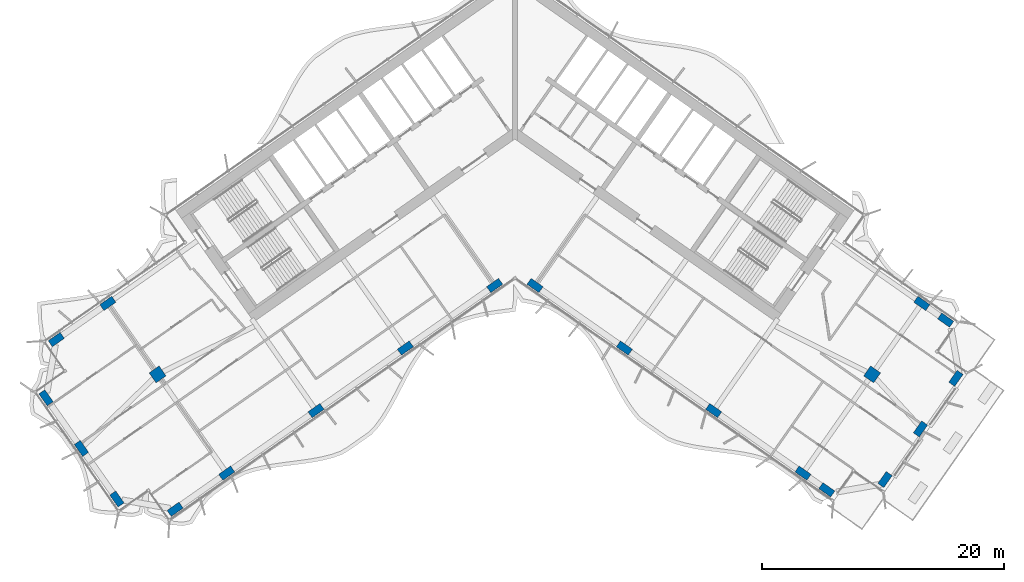
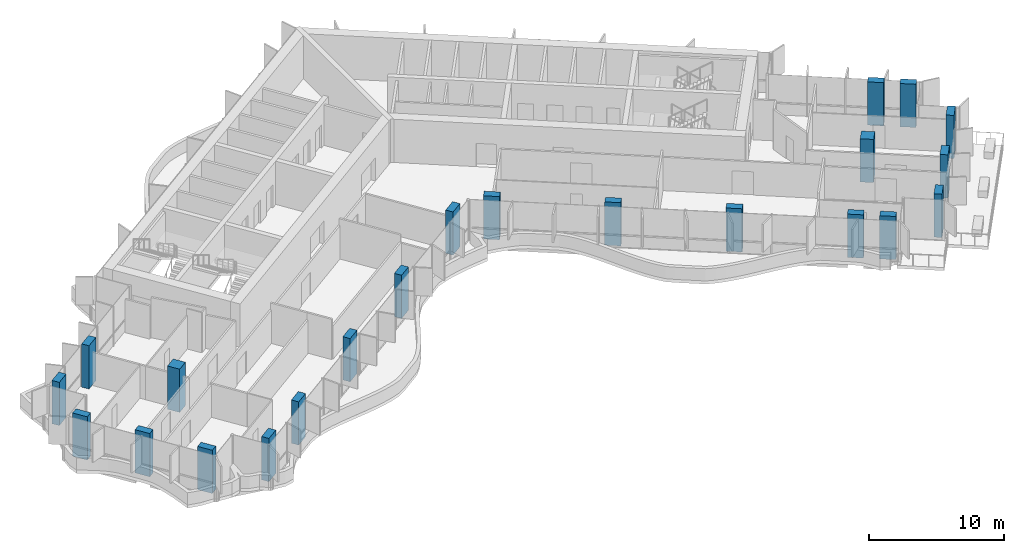
# One storey, part 1 of 22: 22 columns.
"""IFC4 building model written with IfcOpenShell, lengths in metres."""

from ifc_helpers import new_model, si_unit, direction, frame, origin, origin_2d, place, context, subcontext, project, spatial, rectangle, extrude, material, material_profile, profile_set, type_object, element, save


model = new_model("IFC4")

# Units and contexts
model_context = context("Model", 3, precision=1e-05, world=origin(), true_north=direction((0.0, 1.0)))
body_context = subcontext(model_context, "Body", "Model", "MODEL_VIEW")
ifc_project = project(units=[si_unit("LENGTHUNIT", "METRE"), si_unit("AREAUNIT", "SQUARE_METRE"), si_unit("VOLUMEUNIT", "CUBIC_METRE"), si_unit("PLANEANGLEUNIT", "RADIAN"), si_unit("MASSUNIT", "GRAM", prefix="KILO")], contexts=[model_context])

# Site, building, storey
site_placement = place(None, origin())
site = spatial("IfcSite", under=ifc_project, at=site_placement, CompositionType="ELEMENT")
building_placement = place(site_placement, origin())
building = spatial("IfcBuilding", under=site, at=building_placement, Name="Tel Ilan Convention Tower", CompositionType="ELEMENT")
storey_placement = place(building_placement, frame((0.0, 0.0, 143.699951171875)))
storey = spatial("IfcBuildingStorey", under=building, at=storey_placement, Name="L32", CompositionType="ELEMENT", Elevation=143.699951171875)

# Columns
ifc_material_1 = material(Name="Concrete C50/60", Category="concrete")
ifc_material_profile_1 = material_profile(ifc_material_1, rectangle(XDim=1.0, YDim=1.0, at=origin_2d()), Name="RC 1000x1000")
ifc_profile_set_1 = profile_set([ifc_material_profile_1], Name="Concrete C50/60")
column_type_1 = type_object("IfcColumnType", Name="Column RC 1000x1000 C50/60", PredefinedType="COLUMN", material=ifc_profile_set_1)
for number, where, z_axis, x_axis, name in (
    (1, (-29.489501953125, -20.648681640625, 0.0), (0.0, 0.0, 1.0), (-0.819152044289, -0.573576436351, 0.0), "L32 column W-M4"),
    (2, (29.489501953125, -20.648681640625, 0.0), (0.0, 0.0, 1.0), (0.819152044289, -0.573576436351, 0.0), "L32 column E-M4"),
):
    element("IfcColumn", number, at=place(storey_placement, frame(where, z_axis=z_axis, x_axis=x_axis)), inside=storey, type_object=column_type_1, Name=name, PredefinedType="COLUMN", context=body_context, shape_type="SweptSolid", body=[
        extrude(rectangle(XDim=1.0, YDim=1.0, at=origin_2d()), origin(), (0.0, 0.0, 1.0), 3.900146484375),
    ])
ifc_material_2 = material(Name="Concrete C50/60", Category="concrete")
ifc_material_profile_2 = material_profile(ifc_material_2, rectangle(XDim=1.199951171875, YDim=0.60009765625, at=origin_2d()), Name="RC 600x1200")
ifc_profile_set_2 = profile_set([ifc_material_profile_2], Name="Concrete C50/60")
column_type_2 = type_object("IfcColumnType", Name="Column RC 600x1200 C50/60", PredefinedType="COLUMN", material=ifc_profile_set_2)
for number, where, z_axis, x_axis, name in (
    (3, (-1.665283203125, -13.312744140625, 0.0), (0.0, 0.0, 1.0), (-0.819152044289, -0.573576436351, 0.0), "L32 column W-F1"),
    (4, (-9.03759765625, -18.474853515625, 0.0), (0.0, 0.0, 1.0), (-0.819152044289, -0.573576436351, 0.0), "L32 column W-F2"),
    (5, (-16.409912109375, -23.63720703125, 0.0), (0.0, 0.0, 1.0), (-0.819152044289, -0.573576436351, 0.0), "L32 column W-F3"),
    (6, (-23.782470703125, -28.79931640625, 0.0), (0.0, 0.0, 1.0), (-0.819152044289, -0.573576436351, 0.0), "L32 column W-F4"),
    (7, (-28.0419921875, -31.781982421875, 0.0), (0.0, 0.0, 1.0), (-0.819152044289, -0.573576436351, 0.0), "L32 column W-FC"),
    (8, (-33.590576171875, -14.791748046875, 0.0), (0.0, 0.0, 1.0), (-0.819152044289, -0.573576436351, 0.0), "L32 column W-B4"),
    (9, (-37.85009765625, -17.7744140625, 0.0), (0.0, 0.0, 1.0), (-0.819152044289, -0.573576436351, 0.0), "L32 column W-BC"),
    (10, (-32.846923828125, -30.934814453125, 0.0), (0.0, 0.0, 1.0), (-0.573576436351, 0.819152044289, 0.0), "L32 column W-E1"),
    (11, (-35.772216796875, -26.757080078125, 0.0), (0.0, 0.0, 1.0), (-0.573576436351, 0.819152044289, 0.0), "L32 column W-E2"),
    (12, (-38.697509765625, -22.579345703125, 0.0), (0.0, 0.0, 1.0), (-0.573576436351, 0.819152044289, 0.0), "L32 column W-E3"),
    (13, (1.665283203125, -13.312744140625, 0.0), (0.0, 0.0, 1.0), (0.819152044289, -0.573576436351, 0.0), "L32 column E-F1"),
    (14, (9.03759765625, -18.474853515625, 0.0), (0.0, 0.0, 1.0), (0.819152044289, -0.573576436351, 0.0), "L32 column E-F2"),
    (15, (16.409912109375, -23.63720703125, 0.0), (0.0, 0.0, 1.0), (0.819152044289, -0.573576436351, 0.0), "L32 column E-F3"),
    (16, (23.782470703125, -28.79931640625, 0.0), (0.0, 0.0, 1.0), (0.819152044289, -0.573576436351, 0.0), "L32 column E-F4"),
    (17, (25.748291015625, -30.17578125, 0.0), (0.0, 0.0, 1.0), (0.819152044289, -0.573576436351, 0.0), "L32 column E-FC"),
    (18, (33.590576171875, -14.791748046875, 0.0), (0.0, 0.0, 1.0), (0.819152044289, -0.573576436351, 0.0), "L32 column E-B4"),
    (19, (35.556396484375, -16.16845703125, 0.0), (0.0, 0.0, 1.0), (0.819152044289, -0.573576436351, 0.0), "L32 column E-BC"),
    (20, (30.55322265625, -29.32861328125, 0.0), (0.0, 0.0, 1.0), (0.573576436351, 0.819152044289, 0.0), "L32 column E-E1"),
    (21, (33.478515625, -25.15087890625, 0.0), (0.0, 0.0, 1.0), (0.573576436351, 0.819152044289, 0.0), "L32 column E-E2"),
    (22, (36.40380859375, -20.973388671875, 0.0), (0.0, 0.0, 1.0), (0.573576436351, 0.819152044289, 0.0), "L32 column E-E3"),
):
    element("IfcColumn", number, at=place(storey_placement, frame(where, z_axis=z_axis, x_axis=x_axis)), inside=storey, type_object=column_type_2, Name=name, PredefinedType="COLUMN", context=body_context, shape_type="SweptSolid", body=[
        extrude(rectangle(XDim=1.199951171875, YDim=0.60009765625, at=origin_2d()), origin(), (0.0, 0.0, 1.0), 3.900146484375),
    ])

save(model, "model.ifc")
